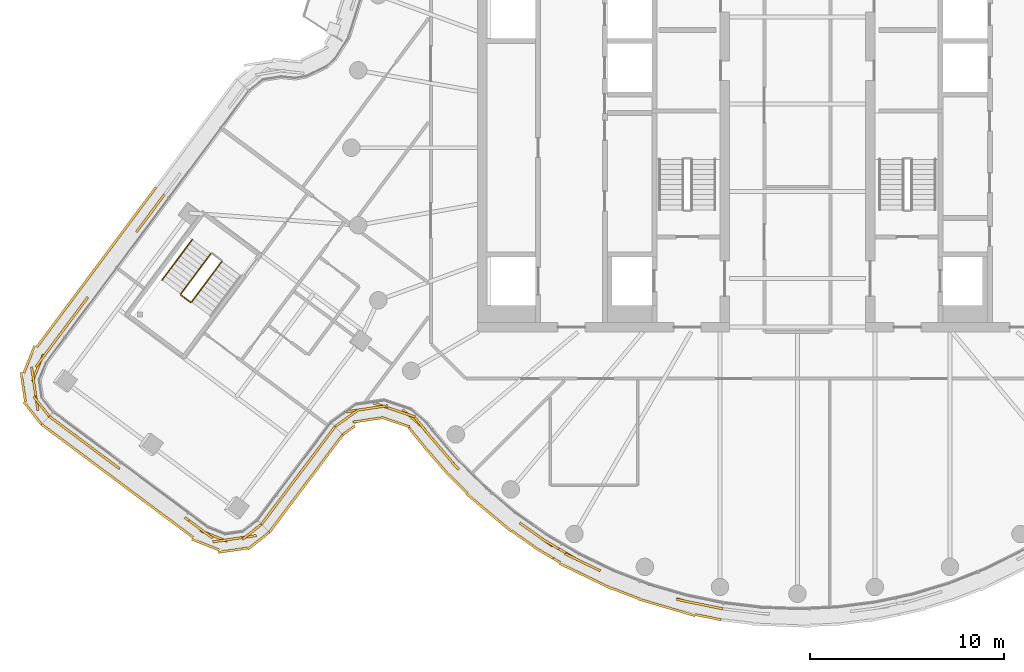
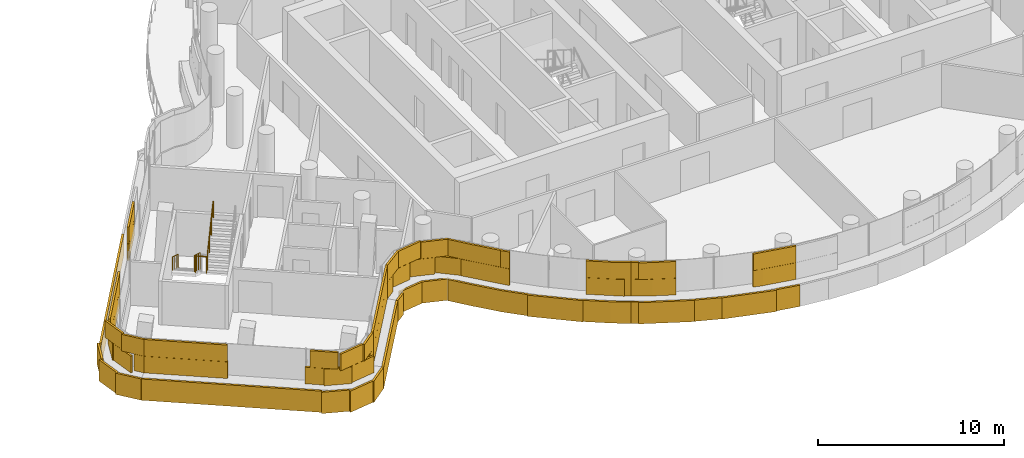
# One storey, part 22 of 27: 5 coverings, 4 railings.
"""IFC4 building model written with IfcOpenShell, lengths in metres."""

import ifcopenshell
import ifcopenshell.guid

model = None  # the IFC model being written
_history = None  # IfcOwnerHistory: only IFC2X3 demands one
_inside = {}  # id of a spatial element -> (the spatial element, [elements in it])
_under = {}  # id of a project, library or spatial element -> (it, [spatial elements below it])
_declared = {}  # id of a project -> (the project, [libraries it declares])
_typed = {}  # id of a type object -> (the type object, [elements of that type])
_made_of = {}  # id of a material, layer set ... -> (it, [elements and type objects made of it])


def new_model(schema):
    """Start an empty IFC model of exactly this schema.

    Asked for "IFC4X3", IfcOpenShell would pick the latest addendum, in which some entities
    have other attributes; the version numbers below select the first issue.
    IFC2X3 requires an IfcOwnerHistory on every rooted entity: one is made here for all.
    """
    global model, _history
    if schema == "IFC4X3":
        model = ifcopenshell.file(schema_version=(4, 3, 0, 0))
    else:
        model = ifcopenshell.file(schema=schema)
    _inside.clear()
    _under.clear()
    _declared.clear()
    _typed.clear()
    _made_of.clear()
    _history = None
    if model.schema == "IFC2X3":
        org = make("IfcOrganization", Name="unknown")
        user = make(
            "IfcPersonAndOrganization",
            ThePerson=make("IfcPerson", FamilyName="unknown"),
            TheOrganization=org,
        )
        app = make(
            "IfcApplication",
            ApplicationDeveloper=org,
            Version="unknown",
            ApplicationFullName="unknown",
            ApplicationIdentifier="unknown",
        )
        _history = make(
            "IfcOwnerHistory",
            OwningUser=user,
            OwningApplication=app,
            ChangeAction="ADDED",
            CreationDate=0,
        )
    return model


def make(cls, **values):
    """One entity of the class cls with the attributes given. An attribute that is None is left unset."""
    return model.create_entity(
        cls, **{name: value for name, value in values.items() if value is not None}
    )


def rooted(cls, **values):
    """An entity with a GlobalId (a new one), such as an element, a storey or a relation."""
    return make(cls, GlobalId=ifcopenshell.guid.new(), OwnerHistory=_history, **values)


def si_unit(unit_type, name, prefix=None):
    """IfcSIUnit, for example si_unit("LENGTHUNIT", "METRE", prefix="MILLI")."""
    return make("IfcSIUnit", UnitType=unit_type, Prefix=prefix, Name=name)


def assignment(units):
    """IfcUnitAssignment: the units of a project."""
    return None if units is None else make("IfcUnitAssignment", Units=units)


def point(xyz):
    """IfcCartesianPoint."""
    return None if xyz is None else make("IfcCartesianPoint", Coordinates=xyz)


def direction(xyz):
    """IfcDirection."""
    return None if xyz is None else make("IfcDirection", DirectionRatios=xyz)


def frame(location, z_axis=None, x_axis=None):
    """IfcAxis2Placement3D, a coordinate frame: its origin and axes. An axis left out is left unset."""
    return make(
        "IfcAxis2Placement3D",
        Location=point(location),
        Axis=direction(z_axis),
        RefDirection=direction(x_axis),
    )


def frame_2d(location, x_axis=None):
    """IfcAxis2Placement2D, a coordinate frame in the plane: its origin and x axis."""
    return make(
        "IfcAxis2Placement2D", Location=point(location), RefDirection=direction(x_axis)
    )


def origin():
    """The frame at (0, 0, 0) with its axes left unset."""
    return frame((0.0, 0.0, 0.0))


def origin_2d():
    """The frame at (0, 0) in the plane with its x axis left unset."""
    return frame_2d((0.0, 0.0))


def place(relative_to, where):
    """IfcLocalPlacement: puts the frame where relative to a parent placement (None: the world)."""
    return make(
        "IfcLocalPlacement", PlacementRelTo=relative_to, RelativePlacement=where
    )


def context(
    kind, dimensions, precision=None, world=None, true_north=None, identifier=None
):
    """IfcGeometricRepresentationContext, for example the 3D "Model" context."""
    return make(
        "IfcGeometricRepresentationContext",
        ContextIdentifier=identifier,
        ContextType=kind,
        CoordinateSpaceDimension=dimensions,
        Precision=precision,
        WorldCoordinateSystem=world,
        TrueNorth=true_north,
    )


def subcontext(parent, identifier, kind, view, scale=None):
    """IfcGeometricRepresentationSubContext, for example "Body" below "Model"."""
    return make(
        "IfcGeometricRepresentationSubContext",
        ContextIdentifier=identifier,
        ContextType=kind,
        ParentContext=parent,
        TargetScale=scale,
        TargetView=view,
    )


def project(units=None, contexts=None):
    """IfcProject with its units and contexts."""
    return rooted(
        "IfcProject",
        Name="project",
        RepresentationContexts=contexts,
        UnitsInContext=assignment(units),
    )


def spatial(cls, under=None, at=None, **own):
    """A site, building, storey or space (cls), placed at a placement, below another one or the project."""
    s = rooted(cls, ObjectPlacement=at, **own)
    if under is not None:
        _under.setdefault(under.id(), (under, []))[1].append(s)
    return s


def profile(cls, at=None, kind="AREA", **sizes):
    """A parametric profile (cls). Its sizes go by their IFC names, for example OverallWidth=200.0."""
    return make(cls, ProfileType=kind, Position=at, **sizes)


def rectangle(**sizes):
    """IfcRectangleProfileDef."""
    return profile("IfcRectangleProfileDef", **sizes)


def circle(**sizes):
    """IfcCircleProfileDef."""
    return profile("IfcCircleProfileDef", **sizes)


def extrude(swept, where, along, depth):
    """IfcExtrudedAreaSolid: the profile swept, set in the frame where, extruded along a direction by depth."""
    return make(
        "IfcExtrudedAreaSolid",
        SweptArea=swept,
        Position=where,
        ExtrudedDirection=direction(along),
        Depth=depth,
    )


def shape(context_of_items, identifier, shape_type, items):
    """IfcShapeRepresentation: the items that make up one representation, for example the "Body"."""
    return make(
        "IfcShapeRepresentation",
        ContextOfItems=context_of_items,
        RepresentationIdentifier=identifier,
        RepresentationType=shape_type,
        Items=items,
    )


def material(Name=None, Category=None):
    """IfcMaterial."""
    return make("IfcMaterial", Name=Name, Category=Category)


def layer(
    of_material, thickness, ventilated=None, Name=None, Category=None, Priority=None
):
    """IfcMaterialLayer: one layer of a wall or slab, of a material (None: an air gap)."""
    return make(
        "IfcMaterialLayer",
        Material=of_material,
        LayerThickness=thickness,
        IsVentilated=ventilated,
        Name=Name,
        Category=Category,
        Priority=Priority,
    )


def layer_set(layers, Name=None):
    """IfcMaterialLayerSet."""
    return make("IfcMaterialLayerSet", MaterialLayers=layers, LayerSetName=Name)


def made_of(thing, what):
    """Note that an element or type object is made of a material, layer set ...; save() writes the relation."""
    if what is not None:
        _made_of.setdefault(what.id(), (what, []))[1].append(thing)
    return thing


def type_object(cls, material=None, **own):
    """A type object (cls), such as IfcWallType, which elements share."""
    return made_of(rooted(cls, **own), material)


def element(
    cls,
    number,
    at=None,
    inside=None,
    cuts=None,
    type_object=None,
    material=None,
    context=None,
    identifier="Body",
    shape_type=None,
    held_by="IfcProductDefinitionShape",
    body=None,
    shapes=None,
    **own,
):
    """One element of the class cls, such as IfcWall. Its Tag is "e" and its number.

    at: its placement. inside: the storey or other place that contains it. cuts: it is an
    opening in that element (IfcRelVoidsElement). A single representation is given by context,
    identifier, shape_type and body (its items); several are given by shapes. held_by: the class
    of the entity that holds the representations. save() writes the other relations.
    """
    e = rooted(cls, Tag="e%d" % number, ObjectPlacement=at, **own)
    if body is not None:
        shapes = [shape(context, identifier, shape_type, body)]
    if shapes is not None:
        e.Representation = make(held_by, Representations=shapes)
    if inside is not None:
        _inside.setdefault(inside.id(), (inside, []))[1].append(e)
    if cuts is not None:
        rooted(
            "IfcRelVoidsElement", RelatingBuildingElement=cuts, RelatedOpeningElement=e
        )
    if type_object is not None:
        _typed.setdefault(type_object.id(), (type_object, []))[1].append(e)
    return made_of(e, material)


def aggregate(whole, parts):
    """IfcRelAggregates: a whole, such as a stair, and the parts it consists of."""
    return rooted("IfcRelAggregates", RelatingObject=whole, RelatedObjects=parts)


def save(model, path):
    """Write the relations noted so far, then the file.

    IfcRelAggregates (storeys below a building ...), IfcRelContainedInSpatialStructure (elements
    in a storey), IfcRelDefinesByType, IfcRelAssociatesMaterial and IfcRelDeclares: one each for
    every whole, place, type object, material and project.
    """
    for whole, parts in _under.values():
        aggregate(whole, parts)
    for where, things in _inside.values():
        rooted(
            "IfcRelContainedInSpatialStructure",
            RelatedElements=things,
            RelatingStructure=where,
        )
    for kind, things in _typed.values():
        rooted("IfcRelDefinesByType", RelatedObjects=things, RelatingType=kind)
    for what, things in _made_of.values():
        rooted("IfcRelAssociatesMaterial", RelatedObjects=things, RelatingMaterial=what)
    for by, libraries in _declared.values():
        rooted("IfcRelDeclares", RelatingContext=by, RelatedDefinitions=libraries)
    model.write(path)


model = new_model("IFC4")

# Units and contexts
model_context = context("Model", 3, precision=1e-05, world=origin(), true_north=direction((0.0, 1.0)))
body_context = subcontext(model_context, "Body", "Model", "MODEL_VIEW")
ifc_project = project(units=[si_unit("LENGTHUNIT", "METRE"), si_unit("AREAUNIT", "SQUARE_METRE"), si_unit("VOLUMEUNIT", "CUBIC_METRE"), si_unit("PLANEANGLEUNIT", "RADIAN"), si_unit("MASSUNIT", "GRAM", prefix="KILO")], contexts=[model_context])

# Site, building, storey
site_placement = place(None, origin())
site = spatial("IfcSite", under=ifc_project, at=site_placement, CompositionType="ELEMENT")
building_placement = place(site_placement, origin())
building = spatial("IfcBuilding", under=site, at=building_placement, Name="Tamarind Cross Interchange Tower", CompositionType="ELEMENT")
storey_placement = place(building_placement, frame((0.0, 0.0, 227.10009765625)))
storey = spatial("IfcBuildingStorey", under=building, at=storey_placement, Name="L57", CompositionType="ELEMENT", Elevation=227.10009765625)

# Railings
ifc_material_1 = material(Name="Stair guard")
railing_type_1 = type_object("IfcRailingType", Name="Stair guard", PredefinedType="GUARDRAIL", material=ifc_material_1)
railing_1_placement = place(storey_placement, frame((-30.245361328125, -5.452392578125, 0.16357421875)))
element("IfcRailing", 1, at=railing_1_placement, inside=storey, type_object=railing_type_1, Name="L57 ST5 stair guard 1", PredefinedType="GUARDRAIL", context=body_context, shape_type="SweptSolid", body=[
    extrude(circle(Radius=0.02392578125, at=origin_2d()), frame((0.0, 0.0, 1.076171875), z_axis=(-0.506021092862, -0.678403651433, 0.532645416108), x_axis=(0.80157484208, -0.597894449335, 0.0)), (0.0, 0.0, 1.0), 3.07177734375),
    extrude(circle(Radius=0.02099609375, at=origin_2d()), origin(), (0.0, 0.0, 1.0), 1.052001953125),
    extrude(circle(Radius=0.02099609375, at=origin_2d()), frame((-0.51806640625, -0.694580078125, 0.54541015625)), (0.0, 0.0, 1.0), 1.052001953125),
    extrude(circle(Radius=0.02099609375, at=origin_2d()), frame((-1.036376953125, -1.389404296875, 1.0908203125)), (0.0, 0.0, 1.0), 1.052001953125),
    extrude(circle(Radius=0.02099609375, at=origin_2d()), frame((-1.554443359375, -2.083984375, 1.63623046875)), (0.0, 0.0, 1.0), 1.052001953125),
])
railing_2_placement = place(storey_placement, frame((-31.78955078125, -7.6064453125, 1.7998046875)))
element("IfcRailing", 2, at=railing_2_placement, inside=storey, type_object=railing_type_1, Name="L57 ST5 stair guard 2", PredefinedType="GUARDRAIL", context=body_context, shape_type="SweptSolid", body=[
    extrude(circle(Radius=0.02392578125, at=origin_2d()), frame((0.0, 0.0, 1.076171875), z_axis=(0.801657222173, -0.597783989529, 0.0), x_axis=(0.597783989529, 0.801657222173, 0.0)), (0.0, 0.0, 1.0), 0.599853515625),
    extrude(circle(Radius=0.02099609375, at=origin_2d()), origin(), (0.0, 0.0, 1.0), 1.052001953125),
    extrude(circle(Radius=0.02099609375, at=origin_2d()), frame((0.48095703125, -0.358642578125, 0.0)), (0.0, 0.0, 1.0), 1.052001953125),
])
railing_3_placement = place(storey_placement, frame((-31.238525390625, -7.955078125, 1.963623046875)))
element("IfcRailing", 3, at=railing_3_placement, inside=storey, type_object=railing_type_1, Name="L57 ST5 stair guard 3", PredefinedType="GUARDRAIL", context=body_context, shape_type="SweptSolid", body=[
    extrude(circle(Radius=0.02392578125, at=origin_2d()), frame((0.0, 0.0, 1.076171875), z_axis=(0.505993810568, 0.678446546383, 0.532616698355), x_axis=(-0.801608407314, 0.597849447038, 0.0)), (0.0, 0.0, 1.0), 3.072021484375),
    extrude(circle(Radius=0.02099609375, at=origin_2d()), origin(), (0.0, 0.0, 1.0), 1.052001953125),
    extrude(circle(Radius=0.02099609375, at=origin_2d()), frame((0.51806640625, 0.69482421875, 0.54541015625)), (0.0, 0.0, 1.0), 1.052001953125),
    extrude(circle(Radius=0.02099609375, at=origin_2d()), frame((1.036376953125, 1.389404296875, 1.0908203125)), (0.0, 0.0, 1.0), 1.052001953125),
    extrude(circle(Radius=0.02099609375, at=origin_2d()), frame((1.554443359375, 2.084228515625, 1.63623046875)), (0.0, 0.0, 1.0), 1.052001953125),
])
ifc_material_2 = material(Name="Stair handrail")
railing_type_2 = type_object("IfcRailingType", Name="Stair handrail", PredefinedType="HANDRAIL", material=ifc_material_2)
railing_4_placement = place(storey_placement, frame((-31.207275390625, -4.73486328125, 0.16357421875)))
element("IfcRailing", 4, at=railing_4_placement, inside=storey, type_object=railing_type_2, Name="L57 ST5 stair handrail 1", PredefinedType="HANDRAIL", context=body_context, shape_type="SweptSolid", body=[
    extrude(circle(Radius=0.02392578125, at=origin_2d()), frame((0.0, 0.0, 0.8759765625), z_axis=(-0.505993810568, -0.678446546383, 0.532616698355), x_axis=(0.801608407314, -0.597849447038, 0.0)), (0.0, 0.0, 1.0), 3.072021484375),
    extrude(circle(Radius=0.02099609375, at=origin_2d()), origin(), (0.0, 0.0, 1.0), 0.851806640625),
    extrude(circle(Radius=0.02099609375, at=origin_2d()), frame((-0.51806640625, -0.69482421875, 0.54541015625)), (0.0, 0.0, 1.0), 0.851806640625),
    extrude(circle(Radius=0.02099609375, at=origin_2d()), frame((-1.036376953125, -1.389404296875, 1.0908203125)), (0.0, 0.0, 1.0), 0.851806640625),
    extrude(circle(Radius=0.02099609375, at=origin_2d()), frame((-1.554443359375, -2.084228515625, 1.63623046875)), (0.0, 0.0, 1.0), 0.851806640625),
])

# Coverings
ifc_material_3 = material(Name="Terracotta", Category="masonry")
ifc_layer = layer(ifc_material_3, 0.1201171875)
ifc_layer_set = layer_set([ifc_layer], Name="Terracotta")
covering_type = type_object("IfcCoveringType", Name="Terracotta baguette screen unit", PredefinedType="MOLDING", material=ifc_layer_set)
covering_1_placement = place(storey_placement, origin())
element("IfcCovering", 5, at=covering_1_placement, inside=storey, type_object=covering_type, Name="SCR-L57-00-00", PredefinedType="MOLDING", context=body_context, shape_type="SweptSolid", body=[
    extrude(rectangle(XDim=0.760009765625, YDim=0.1201171875, at=origin_2d()), frame((-38.2802734375, -14.073486328125, 1.40380859375), z_axis=(0.0, 0.0, 1.0), x_axis=(0.801617072029, -0.597837829041, 0.0)), (0.0, 0.0, 1.0), 1.092041015625),
    extrude(rectangle(XDim=1.52001953125, YDim=0.1201171875, at=origin_2d()), frame((-37.37841796875, -14.74609375, 1.40380859375), z_axis=(0.0, 0.0, 1.0), x_axis=(0.801617072029, -0.597837829041, 0.0)), (0.0, 0.0, 1.0), 1.092041015625),
    extrude(rectangle(XDim=1.52001953125, YDim=0.1201171875, at=origin_2d()), frame((-36.176025390625, -15.642822265625, 1.40380859375), z_axis=(0.0, 0.0, 1.0), x_axis=(0.801617072029, -0.597837829041, 0.0)), (0.0, 0.0, 1.0), 1.092041015625),
    extrude(rectangle(XDim=0.78466796875, YDim=0.1201171875, at=origin_2d()), frame((-35.264404296875, -16.32275390625, 1.40380859375), z_axis=(0.0, 0.0, 1.0), x_axis=(0.801617072029, -0.597837829041, 0.0)), (0.0, 0.0, 1.0), 1.092041015625),
    extrude(rectangle(XDim=1.03515625, YDim=0.1201171875, at=origin_2d()), frame((-31.176025390625, -19.371826171875, 1.40380859375), z_axis=(0.0, 0.0, 1.0), x_axis=(0.801617072029, -0.597837829041, 0.0)), (0.0, 0.0, 1.0), 1.092041015625),
    extrude(rectangle(XDim=1.52001953125, YDim=0.1201171875, at=origin_2d()), frame((-30.103271484375, -20.01806640625, 1.40380859375), z_axis=(0.0, 0.0, 1.0), x_axis=(0.929034448705, -0.369993233883, 0.0)), (0.0, 0.0, 1.0), 1.092041015625),
    extrude(rectangle(XDim=1.52001953125, YDim=0.1201171875, at=origin_2d()), frame((-28.65478515625, -20.10791015625, 1.40380859375), z_axis=(0.0, 0.0, 1.0), x_axis=(0.989564050511, 0.144093684582, 0.0)), (0.0, 0.0, 1.0), 1.092041015625),
    extrude(rectangle(XDim=0.509521484375, YDim=0.1201171875, at=origin_2d()), frame((-27.833740234375, -19.5732421875, 1.40380859375), z_axis=(0.0, 0.0, 1.0), x_axis=(0.784940764123, 0.619570816628, 0.0)), (0.0, 0.0, 1.0), 1.092041015625),
    extrude(rectangle(XDim=1.510009765625, YDim=0.1201171875, at=origin_2d()), frame((-37.979736328125, -14.2978515625, 2.50390625), z_axis=(0.0, 0.0, 1.0), x_axis=(0.801617072029, -0.597837829041, 0.0)), (0.0, 0.0, 1.0), 1.092041015625),
    extrude(rectangle(XDim=1.52001953125, YDim=0.1201171875, at=origin_2d()), frame((-36.77734375, -15.194580078125, 2.50390625), z_axis=(0.0, 0.0, 1.0), x_axis=(0.801617072029, -0.597837829041, 0.0)), (0.0, 0.0, 1.0), 1.092041015625),
    extrude(rectangle(XDim=1.52001953125, YDim=0.1201171875, at=origin_2d()), frame((-35.574951171875, -16.09130859375, 2.50390625), z_axis=(0.0, 0.0, 1.0), x_axis=(0.801617072029, -0.597837829041, 0.0)), (0.0, 0.0, 1.0), 1.092041015625),
    extrude(rectangle(XDim=1.52001953125, YDim=0.1201171875, at=origin_2d()), frame((-30.76513671875, -19.67822265625, 2.50390625), z_axis=(0.0, 0.0, 1.0), x_axis=(0.801617072029, -0.597837829041, 0.0)), (0.0, 0.0, 1.0), 1.092041015625),
    extrude(rectangle(XDim=1.52001953125, YDim=0.1201171875, at=origin_2d()), frame((-29.39697265625, -20.2158203125, 2.50390625), z_axis=(0.0, 0.0, 1.0), x_axis=(0.989564050511, 0.144093684582, 0.0)), (0.0, 0.0, 1.0), 1.092041015625),
    extrude(rectangle(XDim=1.259521484375, YDim=0.1201171875, at=origin_2d()), frame((-28.1279296875, -19.8056640625, 2.50390625), z_axis=(0.0, 0.0, 1.0), x_axis=(0.784940764123, 0.619570816628, 0.0)), (0.0, 0.0, 1.0), 1.092041015625),
    extrude(rectangle(XDim=0.760009765625, YDim=0.1201171875, at=origin_2d()), frame((-38.679931640625, -14.491455078125, 0.00390625), z_axis=(0.0, 0.0, 1.0), x_axis=(0.801617072029, -0.597837829041, 0.0)), (0.0, 0.0, 1.0), 1.39208984375),
    extrude(rectangle(XDim=1.52001953125, YDim=0.1201171875, at=origin_2d()), frame((-37.7822265625, -15.1611328125, 0.00390625), z_axis=(0.0, 0.0, 1.0), x_axis=(0.801617072029, -0.597837829041, 0.0)), (0.0, 0.0, 1.0), 1.39208984375),
    extrude(rectangle(XDim=1.52001953125, YDim=0.1201171875, at=origin_2d()), frame((-36.579833984375, -16.057861328125, 0.00390625), z_axis=(0.0, 0.0, 1.0), x_axis=(0.801617072029, -0.597837829041, 0.0)), (0.0, 0.0, 1.0), 1.39208984375),
    extrude(rectangle(XDim=1.52001953125, YDim=0.1201171875, at=origin_2d()), frame((-35.37744140625, -16.95458984375, 0.00390625), z_axis=(0.0, 0.0, 1.0), x_axis=(0.801617072029, -0.597837829041, 0.0)), (0.0, 0.0, 1.0), 1.39208984375),
    extrude(rectangle(XDim=1.52001953125, YDim=0.1201171875, at=origin_2d()), frame((-34.175048828125, -17.851318359375, 0.00390625), z_axis=(0.0, 0.0, 1.0), x_axis=(0.801617072029, -0.597837829041, 0.0)), (0.0, 0.0, 1.0), 1.39208984375),
    extrude(rectangle(XDim=1.52001953125, YDim=0.1201171875, at=origin_2d()), frame((-32.972412109375, -18.748046875, 0.00390625), z_axis=(0.0, 0.0, 1.0), x_axis=(0.801617072029, -0.597837829041, 0.0)), (0.0, 0.0, 1.0), 1.39208984375),
    extrude(rectangle(XDim=1.52001953125, YDim=0.1201171875, at=origin_2d()), frame((-31.77001953125, -19.644775390625, 0.00390625), z_axis=(0.0, 0.0, 1.0), x_axis=(0.801617072029, -0.597837829041, 0.0)), (0.0, 0.0, 1.0), 1.39208984375),
    extrude(rectangle(XDim=1.52001953125, YDim=0.1201171875, at=origin_2d()), frame((-30.526123046875, -20.467529296875, 0.00390625), z_axis=(0.0, 0.0, 1.0), x_axis=(0.929034448705, -0.369993233883, 0.0)), (0.0, 0.0, 1.0), 1.39208984375),
    extrude(rectangle(XDim=1.52001953125, YDim=0.1201171875, at=origin_2d()), frame((-29.100830078125, -20.7529296875, 0.00390625), z_axis=(0.0, 0.0, 1.0), x_axis=(0.989564050511, 0.144093684582, 0.0)), (0.0, 0.0, 1.0), 1.39208984375),
    extrude(rectangle(XDim=1.42578125, YDim=0.1201171875, at=origin_2d()), frame((-27.783203125, -20.2646484375, 0.00390625), z_axis=(0.0, 0.0, 1.0), x_axis=(0.784940764123, 0.619570816628, 0.0)), (0.0, 0.0, 1.0), 1.39208984375),
])
covering_2_placement = place(storey_placement, origin())
element("IfcCovering", 6, at=covering_2_placement, inside=storey, type_object=covering_type, Name="SCR-L57-01-00", PredefinedType="MOLDING", context=body_context, shape_type="SweptSolid", body=[
    extrude(rectangle(XDim=0.760009765625, YDim=0.1201171875, at=origin_2d()), frame((-27.412109375, -19.118896484375, 1.40380859375), z_axis=(0.0, 0.0, 1.0), x_axis=(0.601315923802, 0.799011363988, 0.0)), (0.0, 0.0, 1.0), 1.092041015625),
    extrude(rectangle(XDim=1.52001953125, YDim=0.1201171875, at=origin_2d()), frame((-26.735595703125, -18.219970703125, 1.40380859375), z_axis=(0.0, 0.0, 1.0), x_axis=(0.601315923802, 0.799011363988, 0.0)), (0.0, 0.0, 1.0), 1.092041015625),
    extrude(rectangle(XDim=1.52001953125, YDim=0.1201171875, at=origin_2d()), frame((-25.833740234375, -17.021484375, 1.40380859375), z_axis=(0.0, 0.0, 1.0), x_axis=(0.601315923802, 0.799011363988, 0.0)), (0.0, 0.0, 1.0), 1.092041015625),
    extrude(rectangle(XDim=1.52001953125, YDim=0.1201171875, at=origin_2d()), frame((-24.931640625, -15.822998046875, 1.40380859375), z_axis=(0.0, 0.0, 1.0), x_axis=(0.601315923802, 0.799011363988, 0.0)), (0.0, 0.0, 1.0), 1.092041015625),
    extrude(rectangle(XDim=1.0654296875, YDim=0.1201171875, at=origin_2d()), frame((-24.163330078125, -14.802001953125, 1.40380859375), z_axis=(0.0, 0.0, 1.0), x_axis=(0.601315923802, 0.799011363988, 0.0)), (0.0, 0.0, 1.0), 1.092041015625),
    extrude(rectangle(XDim=1.510009765625, YDim=0.1201171875, at=origin_2d()), frame((-27.1865234375, -18.8193359375, 2.50390625), z_axis=(0.0, 0.0, 1.0), x_axis=(0.601315923802, 0.799011363988, 0.0)), (0.0, 0.0, 1.0), 1.092041015625),
    extrude(rectangle(XDim=1.52001953125, YDim=0.1201171875, at=origin_2d()), frame((-26.28466796875, -17.620849609375, 2.50390625), z_axis=(0.0, 0.0, 1.0), x_axis=(0.601315923802, 0.799011363988, 0.0)), (0.0, 0.0, 1.0), 1.092041015625),
    extrude(rectangle(XDim=1.52001953125, YDim=0.1201171875, at=origin_2d()), frame((-25.382568359375, -16.42236328125, 2.50390625), z_axis=(0.0, 0.0, 1.0), x_axis=(0.601315923802, 0.799011363988, 0.0)), (0.0, 0.0, 1.0), 1.092041015625),
    extrude(rectangle(XDim=1.52001953125, YDim=0.1201171875, at=origin_2d()), frame((-24.480712890625, -15.2236328125, 2.50390625), z_axis=(0.0, 0.0, 1.0), x_axis=(0.601315923802, 0.799011363988, 0.0)), (0.0, 0.0, 1.0), 1.092041015625),
    extrude(rectangle(XDim=0.3154296875, YDim=0.1201171875, at=origin_2d()), frame((-23.937744140625, -14.50244140625, 2.50390625), z_axis=(0.0, 0.0, 1.0), x_axis=(0.601315923802, 0.799011363988, 0.0)), (0.0, 0.0, 1.0), 1.092041015625),
    extrude(rectangle(XDim=0.760009765625, YDim=0.1201171875, at=origin_2d()), frame((-26.9951171875, -19.51953125, 0.00390625), z_axis=(0.0, 0.0, 1.0), x_axis=(0.601315923802, 0.799011363988, 0.0)), (0.0, 0.0, 1.0), 1.39208984375),
    extrude(rectangle(XDim=1.52001953125, YDim=0.1201171875, at=origin_2d()), frame((-26.32177734375, -18.62451171875, 0.00390625), z_axis=(0.0, 0.0, 1.0), x_axis=(0.601315923802, 0.799011363988, 0.0)), (0.0, 0.0, 1.0), 1.39208984375),
    extrude(rectangle(XDim=1.52001953125, YDim=0.1201171875, at=origin_2d()), frame((-25.419677734375, -17.426025390625, 0.00390625), z_axis=(0.0, 0.0, 1.0), x_axis=(0.601315923802, 0.799011363988, 0.0)), (0.0, 0.0, 1.0), 1.39208984375),
    extrude(rectangle(XDim=1.52001953125, YDim=0.1201171875, at=origin_2d()), frame((-24.517822265625, -16.2275390625, 0.00390625), z_axis=(0.0, 0.0, 1.0), x_axis=(0.601315923802, 0.799011363988, 0.0)), (0.0, 0.0, 1.0), 1.39208984375),
    extrude(rectangle(XDim=1.05224609375, YDim=0.1201171875, at=origin_2d()), frame((-23.75634765625, -15.2158203125, 0.00390625), z_axis=(0.0, 0.0, 1.0), x_axis=(0.601315923802, 0.799011363988, 0.0)), (0.0, 0.0, 1.0), 1.39208984375),
])
covering_3_placement = place(storey_placement, origin())
element("IfcCovering", 7, at=covering_3_placement, inside=storey, type_object=covering_type, Name="SCR-L57-02-00", PredefinedType="MOLDING", context=body_context, shape_type="SweptSolid", body=[
    extrude(rectangle(XDim=0.760009765625, YDim=0.1201171875, at=origin_2d()), frame((-23.54150390625, -14.16162109375, 1.40380859375), z_axis=(0.0, 0.0, 1.0), x_axis=(0.811994802474, 0.583664664645, 0.0)), (0.0, 0.0, 1.0), 1.092041015625),
    extrude(rectangle(XDim=1.52001953125, YDim=0.1201171875, at=origin_2d()), frame((-22.62060546875, -13.52294921875, 1.40380859375), z_axis=(0.0, 0.0, 1.0), x_axis=(0.989232019839, 0.146355768334, 0.0)), (0.0, 0.0, 1.0), 1.092041015625),
    extrude(rectangle(XDim=1.52001953125, YDim=0.1201171875, at=origin_2d()), frame((-21.1455078125, -13.400146484375, 1.40380859375), z_axis=(0.0, 0.0, 1.0), x_axis=(0.948191633238, -0.317698956021, 0.0)), (0.0, 0.0, 1.0), 1.092041015625),
    extrude(rectangle(XDim=1.52001953125, YDim=0.1201171875, at=origin_2d()), frame((-19.795166015625, -14.002685546875, 1.40380859375), z_axis=(0.0, 0.0, 1.0), x_axis=(0.754665223305, -0.656110052304, 0.0)), (0.0, 0.0, 1.0), 1.092041015625),
    extrude(rectangle(XDim=1.52001953125, YDim=0.1201171875, at=origin_2d()), frame((-18.764404296875, -15.085205078125, 1.40380859375), z_axis=(0.0, 0.0, 1.0), x_axis=(0.64957723968, -0.760295606781, 0.0)), (0.0, 0.0, 1.0), 1.092041015625),
    extrude(rectangle(XDim=1.239013671875, YDim=0.1201171875, at=origin_2d()), frame((-17.8779296875, -16.12255859375, 1.40380859375), z_axis=(0.0, 0.0, 1.0), x_axis=(0.64957723968, -0.760295606781, 0.0)), (0.0, 0.0, 1.0), 1.092041015625),
    extrude(rectangle(XDim=0.5810546875, YDim=0.1201171875, at=origin_2d()), frame((-14.0849609375, -19.514404296875, 1.40380859375), z_axis=(0.0, 0.0, 1.0), x_axis=(0.816341886298, -0.577568978284, 0.0)), (0.0, 0.0, 1.0), 1.092041015625),
    extrude(rectangle(XDim=1.52001953125, YDim=0.1201171875, at=origin_2d()), frame((-13.23974609375, -20.112548828125, 1.40380859375), z_axis=(0.0, 0.0, 1.0), x_axis=(0.816341886298, -0.577568978284, 0.0)), (0.0, 0.0, 1.0), 1.092041015625),
    extrude(rectangle(XDim=0.35791015625, YDim=0.1201171875, at=origin_2d()), frame((-12.4521484375, -20.594970703125, 1.40380859375), z_axis=(0.0, 0.0, 1.0), x_axis=(0.861248933065, -0.508183308752, 0.0)), (0.0, 0.0, 1.0), 1.092041015625),
    extrude(rectangle(XDim=1.510009765625, YDim=0.1201171875, at=origin_2d()), frame((-23.237060546875, -13.942626953125, 2.50390625), z_axis=(0.0, 0.0, 1.0), x_axis=(0.811994802474, 0.583664664645, 0.0)), (0.0, 0.0, 1.0), 1.092041015625),
    extrude(rectangle(XDim=1.52001953125, YDim=0.1201171875, at=origin_2d()), frame((-21.878662109375, -13.4130859375, 2.50390625), z_axis=(0.0, 0.0, 1.0), x_axis=(0.989232019839, 0.146355768334, 0.0)), (0.0, 0.0, 1.0), 1.092041015625),
    extrude(rectangle(XDim=1.52001953125, YDim=0.1201171875, at=origin_2d()), frame((-20.434326171875, -13.638427734375, 2.50390625), z_axis=(0.0, 0.0, 1.0), x_axis=(0.948191633238, -0.317698956021, 0.0)), (0.0, 0.0, 1.0), 1.092041015625),
    extrude(rectangle(XDim=1.52001953125, YDim=0.1201171875, at=origin_2d()), frame((-19.241943359375, -14.507080078125, 2.50390625), z_axis=(0.0, 0.0, 1.0), x_axis=(0.629796980003, -0.776759785248, 0.0)), (0.0, 0.0, 1.0), 1.092041015625),
    extrude(rectangle(XDim=1.52001953125, YDim=0.1201171875, at=origin_2d()), frame((-18.277099609375, -15.655517578125, 2.50390625), z_axis=(0.0, 0.0, 1.0), x_axis=(0.64957723968, -0.760295606781, 0.0)), (0.0, 0.0, 1.0), 1.092041015625),
    extrude(rectangle(XDim=0.489013671875, YDim=0.1201171875, at=origin_2d()), frame((-17.6328125, -16.406494140625, 2.50390625), z_axis=(0.0, 0.0, 1.0), x_axis=(0.710143317658, -0.704057148523, 0.0)), (0.0, 0.0, 1.0), 1.092041015625),
    extrude(rectangle(XDim=1.3310546875, YDim=0.1201171875, at=origin_2d()), frame((-13.77880859375, -19.73095703125, 2.50390625), z_axis=(0.0, 0.0, 1.0), x_axis=(0.816341886298, -0.577568978284, 0.0)), (0.0, 0.0, 1.0), 1.092041015625),
    extrude(rectangle(XDim=1.10791015625, YDim=0.1201171875, at=origin_2d()), frame((-12.775146484375, -20.404541015625, 2.50390625), z_axis=(0.0, 0.0, 1.0), x_axis=(0.861248933065, -0.508183308752, 0.0)), (0.0, 0.0, 1.0), 1.092041015625),
    extrude(rectangle(XDim=0.760009765625, YDim=0.1201171875, at=origin_2d()), frame((-23.13134765625, -14.57373046875, 0.00390625), z_axis=(0.0, 0.0, 1.0), x_axis=(0.811994802474, 0.583664664645, 0.0)), (0.0, 0.0, 1.0), 1.39208984375),
    extrude(rectangle(XDim=1.52001953125, YDim=0.1201171875, at=origin_2d()), frame((-22.174560546875, -14.037109375, 0.00390625), z_axis=(0.0, 0.0, 1.0), x_axis=(0.989232019839, 0.146355768334, 0.0)), (0.0, 0.0, 1.0), 1.39208984375),
    extrude(rectangle(XDim=1.52001953125, YDim=0.1201171875, at=origin_2d()), frame((-20.7197265625, -14.148193359375, 0.00390625), z_axis=(0.0, 0.0, 1.0), x_axis=(0.948191633238, -0.317698956021, 0.0)), (0.0, 0.0, 1.0), 1.39208984375),
    extrude(rectangle(XDim=1.52001953125, YDim=0.1201171875, at=origin_2d()), frame((-19.5498046875, -15.0390625, 0.00390625), z_axis=(0.0, 0.0, 1.0), x_axis=(0.629796980003, -0.776759785248, 0.0)), (0.0, 0.0, 1.0), 1.39208984375),
    extrude(rectangle(XDim=1.52001953125, YDim=0.1201171875, at=origin_2d()), frame((-18.58056640625, -16.183837890625, 0.00390625), z_axis=(0.0, 0.0, 1.0), x_axis=(0.64957723968, -0.760295606781, 0.0)), (0.0, 0.0, 1.0), 1.39208984375),
    extrude(rectangle(XDim=1.52001953125, YDim=0.1201171875, at=origin_2d()), frame((-17.56298828125, -17.283935546875, 0.00390625), z_axis=(0.0, 0.0, 1.0), x_axis=(0.710143317658, -0.704057148523, 0.0)), (0.0, 0.0, 1.0), 1.39208984375),
    extrude(rectangle(XDim=1.52001953125, YDim=0.1201171875, at=origin_2d()), frame((-16.48779296875, -18.329345703125, 0.00390625), z_axis=(0.0, 0.0, 1.0), x_axis=(0.765858396687, -0.643009266048, 0.0)), (0.0, 0.0, 1.0), 1.39208984375),
    extrude(rectangle(XDim=1.52001953125, YDim=0.1201171875, at=origin_2d()), frame((-15.339111328125, -19.293701171875, 0.00390625), z_axis=(0.0, 0.0, 1.0), x_axis=(0.765858396687, -0.643009266048, 0.0)), (0.0, 0.0, 1.0), 1.39208984375),
    extrude(rectangle(XDim=1.52001953125, YDim=0.1201171875, at=origin_2d()), frame((-14.1328125, -20.183837890625, 0.00390625), z_axis=(0.0, 0.0, 1.0), x_axis=(0.816341886298, -0.577568978284, 0.0)), (0.0, 0.0, 1.0), 1.39208984375),
    extrude(rectangle(XDim=1.09130859375, YDim=0.1201171875, at=origin_2d()), frame((-13.065673828125, -20.8994140625, 0.00390625), z_axis=(0.0, 0.0, 1.0), x_axis=(0.861248933065, -0.508183308752, 0.0)), (0.0, 0.0, 1.0), 1.39208984375),
])
covering_4_placement = place(storey_placement, origin())
element("IfcCovering", 8, at=covering_4_placement, inside=storey, type_object=covering_type, Name="SCR-L57-02-01", PredefinedType="MOLDING", context=body_context, shape_type="SweptSolid", body=[
    extrude(rectangle(XDim=1.162109375, YDim=0.1201171875, at=origin_2d()), frame((-11.806396484375, -20.97607421875, 1.40380859375), z_axis=(0.0, 0.0, 1.0), x_axis=(0.861248933065, -0.508183308752, 0.0)), (0.0, 0.0, 1.0), 1.092041015625),
    extrude(rectangle(XDim=1.279296875, YDim=0.1201171875, at=origin_2d()), frame((-10.736083984375, -21.539794921875, 1.40380859375), z_axis=(0.0, 0.0, 1.0), x_axis=(0.900272776334, -0.435326231914, 0.0)), (0.0, 0.0, 1.0), 1.092041015625),
    extrude(rectangle(XDim=0.54052734375, YDim=0.1201171875, at=origin_2d()), frame((-5.970703125, -23.327880859375, 1.40380859375), z_axis=(0.0, 0.0, 1.0), x_axis=(0.95964657186, -0.281208920763, 0.0)), (0.0, 0.0, 1.0), 1.092041015625),
    extrude(rectangle(XDim=1.52001953125, YDim=0.1201171875, at=origin_2d()), frame((-4.9794921875, -23.545166015625, 1.40380859375), z_axis=(0.0, 0.0, 1.0), x_axis=(0.9795909409, -0.201001463943, 0.0)), (0.0, 0.0, 1.0), 1.092041015625),
    extrude(rectangle(XDim=0.400634765625, YDim=0.1201171875, at=origin_2d()), frame((-4.053466796875, -23.735107421875, 1.40380859375), z_axis=(0.0, 0.0, 1.0), x_axis=(0.9795909409, -0.201001463943, 0.0)), (0.0, 0.0, 1.0), 1.092041015625),
    extrude(rectangle(XDim=0.412109375, YDim=0.1201171875, at=origin_2d()), frame((-12.12939453125, -20.78564453125, 2.50390625), z_axis=(0.0, 0.0, 1.0), x_axis=(0.861248933065, -0.508183308752, 0.0)), (0.0, 0.0, 1.0), 1.092041015625),
    extrude(rectangle(XDim=1.52001953125, YDim=0.1201171875, at=origin_2d()), frame((-11.307373046875, -21.263671875, 2.50390625), z_axis=(0.0, 0.0, 1.0), x_axis=(0.900272776334, -0.435326231914, 0.0)), (0.0, 0.0, 1.0), 1.092041015625),
    extrude(rectangle(XDim=0.529296875, YDim=0.1201171875, at=origin_2d()), frame((-10.3984375, -21.703125, 2.50390625), z_axis=(0.0, 0.0, 1.0), x_axis=(0.900272776334, -0.435326231914, 0.0)), (0.0, 0.0, 1.0), 1.092041015625),
    extrude(rectangle(XDim=1.29052734375, YDim=0.1201171875, at=origin_2d()), frame((-5.606689453125, -23.41650390625, 2.50390625), z_axis=(0.0, 0.0, 1.0), x_axis=(0.9795909409, -0.201001463943, 0.0)), (0.0, 0.0, 1.0), 1.092041015625),
    extrude(rectangle(XDim=1.150634765625, YDim=0.1201171875, at=origin_2d()), frame((-4.4208984375, -23.65966796875, 2.50390625), z_axis=(0.0, 0.0, 1.0), x_axis=(0.9795909409, -0.201001463943, 0.0)), (0.0, 0.0, 1.0), 1.092041015625),
    extrude(rectangle(XDim=0.4287109375, YDim=0.1201171875, at=origin_2d()), frame((-12.4111328125, -21.28564453125, 0.00390625), z_axis=(0.0, 0.0, 1.0), x_axis=(0.861248933065, -0.508183308752, 0.0)), (0.0, 0.0, 1.0), 1.39208984375),
    extrude(rectangle(XDim=1.52001953125, YDim=0.1201171875, at=origin_2d()), frame((-11.5869140625, -21.76611328125, 0.00390625), z_axis=(0.0, 0.0, 1.0), x_axis=(0.900272776334, -0.435326231914, 0.0)), (0.0, 0.0, 1.0), 1.39208984375),
    extrude(rectangle(XDim=1.52001953125, YDim=0.1201171875, at=origin_2d()), frame((-10.236572265625, -22.4189453125, 0.00390625), z_axis=(0.0, 0.0, 1.0), x_axis=(0.900272776334, -0.435326231914, 0.0)), (0.0, 0.0, 1.0), 1.39208984375),
    extrude(rectangle(XDim=1.52001953125, YDim=0.1201171875, at=origin_2d()), frame((-8.852294921875, -22.994384765625, 0.00390625), z_axis=(0.0, 0.0, 1.0), x_axis=(0.933146843667, -0.359495435512, 0.0)), (0.0, 0.0, 1.0), 1.39208984375),
    extrude(rectangle(XDim=1.52001953125, YDim=0.1201171875, at=origin_2d()), frame((-7.439697265625, -23.495361328125, 0.00390625), z_axis=(0.0, 0.0, 1.0), x_axis=(0.95964657186, -0.281208920763, 0.0)), (0.0, 0.0, 1.0), 1.39208984375),
    extrude(rectangle(XDim=1.52001953125, YDim=0.1201171875, at=origin_2d()), frame((-6.000244140625, -23.917236328125, 0.00390625), z_axis=(0.0, 0.0, 1.0), x_axis=(0.95964657186, -0.281208920763, 0.0)), (0.0, 0.0, 1.0), 1.39208984375),
    extrude(rectangle(XDim=1.349853515625, YDim=0.1201171875, at=origin_2d()), frame((-4.615234375, -24.205810546875, 0.00390625), z_axis=(0.0, 0.0, 1.0), x_axis=(0.9795909409, -0.201001463943, 0.0)), (0.0, 0.0, 1.0), 1.39208984375),
])
covering_5_placement = place(storey_placement, origin())
element("IfcCovering", 9, at=covering_5_placement, inside=storey, type_object=covering_type, Name="SCR-L57-07-01", PredefinedType="MOLDING", context=body_context, shape_type="SweptSolid", body=[
    extrude(rectangle(XDim=1.334228515625, YDim=0.1201171875, at=origin_2d()), frame((-33.0400390625, -2.943603515625, 1.40380859375), z_axis=(0.0, 0.0, 1.0), x_axis=(-0.597837829041, -0.801617072029, 0.0)), (0.0, 0.0, 1.0), 1.092041015625),
    extrude(rectangle(XDim=1.091796875, YDim=0.1201171875, at=origin_2d()), frame((-33.759033203125, -3.907958984375, 1.40380859375), z_axis=(0.0, 0.0, 1.0), x_axis=(-0.597837829041, -0.801617072029, 0.0)), (0.0, 0.0, 1.0), 1.092041015625),
    extrude(rectangle(XDim=0.72802734375, YDim=0.1201171875, at=origin_2d()), frame((-36.80810546875, -7.99609375, 1.40380859375), z_axis=(0.0, 0.0, 1.0), x_axis=(-0.597837829041, -0.801617072029, 0.0)), (0.0, 0.0, 1.0), 1.092041015625),
    extrude(rectangle(XDim=1.52001953125, YDim=0.1201171875, at=origin_2d()), frame((-37.47119140625, -8.88525390625, 1.40380859375), z_axis=(0.0, 0.0, 1.0), x_axis=(-0.597837829041, -0.801617072029, 0.0)), (0.0, 0.0, 1.0), 1.092041015625),
    extrude(rectangle(XDim=1.52001953125, YDim=0.1201171875, at=origin_2d()), frame((-38.367919921875, -10.087646484375, 1.40380859375), z_axis=(0.0, 0.0, 1.0), x_axis=(-0.597837829041, -0.801617072029, 0.0)), (0.0, 0.0, 1.0), 1.092041015625),
    extrude(rectangle(XDim=1.52001953125, YDim=0.1201171875, at=origin_2d()), frame((-39.16552734375, -11.345458984375, 1.40380859375), z_axis=(0.0, 0.0, 1.0), x_axis=(-0.369993233883, -0.929034448705, 0.0)), (0.0, 0.0, 1.0), 1.092041015625),
    extrude(rectangle(XDim=1.52001953125, YDim=0.1201171875, at=origin_2d()), frame((-39.276123046875, -12.79150390625, 1.40380859375), z_axis=(0.0, 0.0, 1.0), x_axis=(0.144093684582, -0.989564050511, 0.0)), (0.0, 0.0, 1.0), 1.092041015625),
    extrude(rectangle(XDim=0.550537109375, YDim=0.1201171875, at=origin_2d()), frame((-38.748291015625, -13.63720703125, 1.40380859375), z_axis=(0.0, 0.0, 1.0), x_axis=(0.619570816628, -0.784940764123, 0.0)), (0.0, 0.0, 1.0), 1.092041015625),
    extrude(rectangle(XDim=0.584228515625, YDim=0.1201171875, at=origin_2d()), frame((-32.815673828125, -2.64306640625, 2.50390625), z_axis=(0.0, 0.0, 1.0), x_axis=(-0.597837829041, -0.801617072029, 0.0)), (0.0, 0.0, 1.0), 1.092041015625),
    extrude(rectangle(XDim=1.52001953125, YDim=0.1201171875, at=origin_2d()), frame((-33.435791015625, -3.474365234375, 2.50390625), z_axis=(0.0, 0.0, 1.0), x_axis=(-0.597837829041, -0.801617072029, 0.0)), (0.0, 0.0, 1.0), 1.092041015625),
    extrude(rectangle(XDim=0.341796875, YDim=0.1201171875, at=origin_2d()), frame((-33.9833984375, -4.20849609375, 2.50390625), z_axis=(0.0, 0.0, 1.0), x_axis=(-0.597837829041, -0.801617072029, 0.0)), (0.0, 0.0, 1.0), 1.092041015625),
    extrude(rectangle(XDim=1.47802734375, YDim=0.1201171875, at=origin_2d()), frame((-37.0322265625, -8.296875, 2.50390625), z_axis=(0.0, 0.0, 1.0), x_axis=(-0.597837829041, -0.801617072029, 0.0)), (0.0, 0.0, 1.0), 1.092041015625),
    extrude(rectangle(XDim=1.52001953125, YDim=0.1201171875, at=origin_2d()), frame((-37.91943359375, -9.486572265625, 2.50390625), z_axis=(0.0, 0.0, 1.0), x_axis=(-0.597837829041, -0.801617072029, 0.0)), (0.0, 0.0, 1.0), 1.092041015625),
    extrude(rectangle(XDim=1.52001953125, YDim=0.1201171875, at=origin_2d()), frame((-38.816162109375, -10.68896484375, 2.50390625), z_axis=(0.0, 0.0, 1.0), x_axis=(-0.597837829041, -0.801617072029, 0.0)), (0.0, 0.0, 1.0), 1.092041015625),
    extrude(rectangle(XDim=1.52001953125, YDim=0.1201171875, at=origin_2d()), frame((-39.38427734375, -12.04931640625, 2.50390625), z_axis=(0.0, 0.0, 1.0), x_axis=(0.144093684582, -0.989564050511, 0.0)), (0.0, 0.0, 1.0), 1.092041015625),
    extrude(rectangle(XDim=1.300537109375, YDim=0.1201171875, at=origin_2d()), frame((-38.980712890625, -13.3427734375, 2.50390625), z_axis=(0.0, 0.0, 1.0), x_axis=(0.619570816628, -0.784940764123, 0.0)), (0.0, 0.0, 1.0), 1.092041015625),
    extrude(rectangle(XDim=1.27490234375, YDim=0.1201171875, at=origin_2d()), frame((-33.476318359375, -2.568359375, 0.00390625), z_axis=(0.0, 0.0, 1.0), x_axis=(-0.597837829041, -0.801617072029, 0.0)), (0.0, 0.0, 1.0), 1.39208984375),
    extrude(rectangle(XDim=1.52001953125, YDim=0.1201171875, at=origin_2d()), frame((-34.2998046875, -3.672607421875, 0.00390625), z_axis=(0.0, 0.0, 1.0), x_axis=(-0.597837829041, -0.801617072029, 0.0)), (0.0, 0.0, 1.0), 1.39208984375),
    extrude(rectangle(XDim=1.52001953125, YDim=0.1201171875, at=origin_2d()), frame((-35.196533203125, -4.875, 0.00390625), z_axis=(0.0, 0.0, 1.0), x_axis=(-0.597837829041, -0.801617072029, 0.0)), (0.0, 0.0, 1.0), 1.39208984375),
    extrude(rectangle(XDim=1.52001953125, YDim=0.1201171875, at=origin_2d()), frame((-36.09326171875, -6.07763671875, 0.00390625), z_axis=(0.0, 0.0, 1.0), x_axis=(-0.597837829041, -0.801617072029, 0.0)), (0.0, 0.0, 1.0), 1.39208984375),
    extrude(rectangle(XDim=1.52001953125, YDim=0.1201171875, at=origin_2d()), frame((-36.989990234375, -7.280029296875, 0.00390625), z_axis=(0.0, 0.0, 1.0), x_axis=(-0.597837829041, -0.801617072029, 0.0)), (0.0, 0.0, 1.0), 1.39208984375),
    extrude(rectangle(XDim=1.52001953125, YDim=0.1201171875, at=origin_2d()), frame((-37.88671875, -8.482421875, 0.00390625), z_axis=(0.0, 0.0, 1.0), x_axis=(-0.597837829041, -0.801617072029, 0.0)), (0.0, 0.0, 1.0), 1.39208984375),
    extrude(rectangle(XDim=1.52001953125, YDim=0.1201171875, at=origin_2d()), frame((-38.783447265625, -9.684814453125, 0.00390625), z_axis=(0.0, 0.0, 1.0), x_axis=(-0.597837829041, -0.801617072029, 0.0)), (0.0, 0.0, 1.0), 1.39208984375),
    extrude(rectangle(XDim=1.52001953125, YDim=0.1201171875, at=origin_2d()), frame((-39.615234375, -10.923583984375, 0.00390625), z_axis=(0.0, 0.0, 1.0), x_axis=(-0.369993233883, -0.929034448705, 0.0)), (0.0, 0.0, 1.0), 1.39208984375),
    extrude(rectangle(XDim=1.52001953125, YDim=0.1201171875, at=origin_2d()), frame((-39.921142578125, -12.346435546875, 0.00390625), z_axis=(0.0, 0.0, 1.0), x_axis=(0.144093684582, -0.989564050511, 0.0)), (0.0, 0.0, 1.0), 1.39208984375),
    extrude(rectangle(XDim=1.467041015625, YDim=0.1201171875, at=origin_2d()), frame((-39.439208984375, -13.6884765625, 0.00390625), z_axis=(0.0, 0.0, 1.0), x_axis=(0.619570816628, -0.784940764123, 0.0)), (0.0, 0.0, 1.0), 1.39208984375),
])

save(model, "model.ifc")
